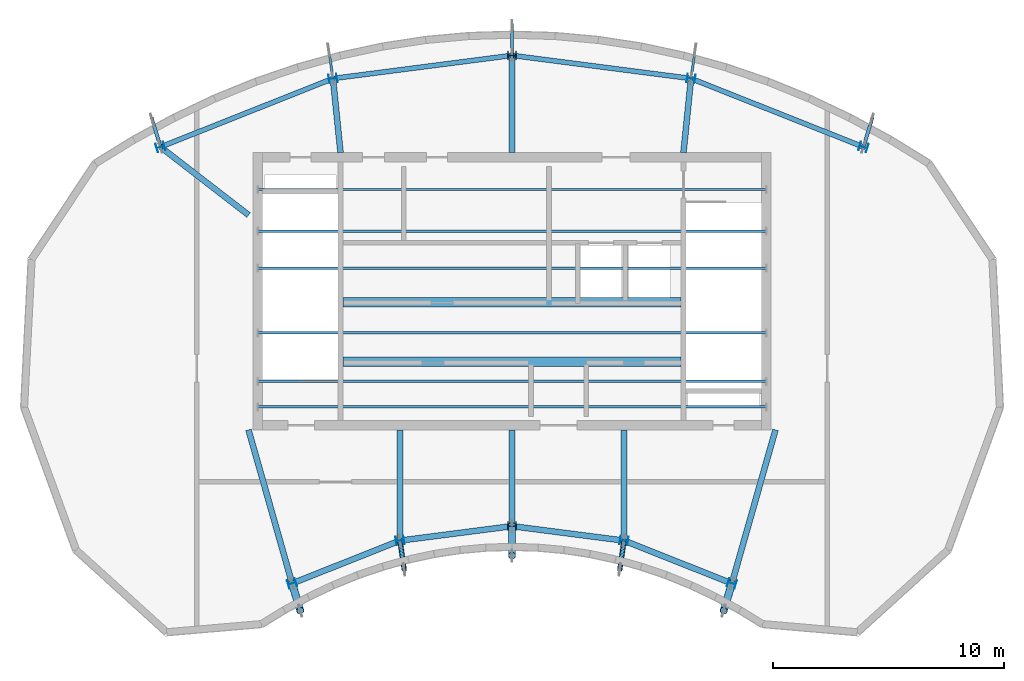
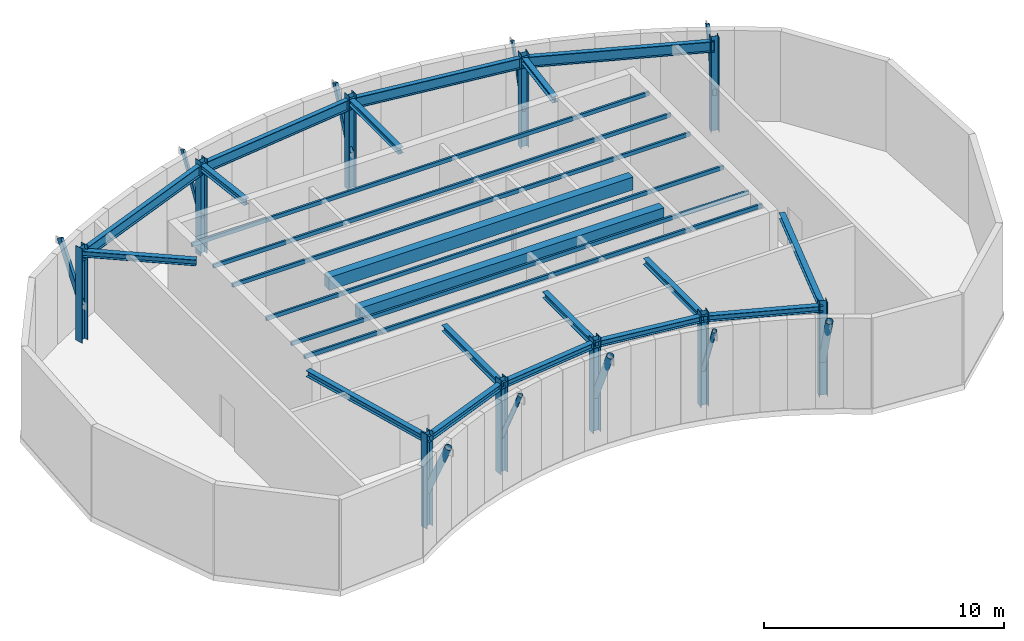
# One storey, part 1 of 6: 19 beams, 16 members, 10 columns.
"""IFC4 building model written with IfcOpenShell, lengths in metres."""

from ifc_helpers import new_model, si_unit, direction, frame, origin, origin_2d, place, context, subcontext, project, spatial, rectangle, hollow_rectangle, hollow_circle, i_section, extrude, source, transform, mapped, material, material_profile, profile_set, type_object, type_shapes, element, save


model = new_model("IFC4")

# Units and contexts
model_context = context("Model", 3, precision=1e-05, world=origin(), true_north=direction((0.0, 1.0)))
body_context = subcontext(model_context, "Body", "Model", "MODEL_VIEW")
ifc_project = project(units=[si_unit("LENGTHUNIT", "METRE"), si_unit("AREAUNIT", "SQUARE_METRE"), si_unit("VOLUMEUNIT", "CUBIC_METRE"), si_unit("PLANEANGLEUNIT", "RADIAN"), si_unit("MASSUNIT", "GRAM", prefix="KILO")], contexts=[model_context])

# Site, building, storey
site_placement = place(None, origin())
site = spatial("IfcSite", under=ifc_project, at=site_placement, CompositionType="ELEMENT")
building_placement = place(site_placement, origin())
building = spatial("IfcBuilding", under=site, at=building_placement, Name="Breltana Convention Tower", CompositionType="ELEMENT")
storey_placement = place(building_placement, frame((0.0, 0.0, 323.39990234375)))
storey = spatial("IfcBuildingStorey", under=building, at=storey_placement, Name="L78", CompositionType="ELEMENT", Elevation=323.39990234375)

# Columns
ifc_material_1 = material(Name="Steel ASTM A992 Grade 50", Category="steel")
ifc_material_profile_1 = material_profile(ifc_material_1, i_section(OverallWidth=0.368896484375, OverallDepth=0.35595703125, WebThickness=0.01123046875, FlangeThickness=0.01806640625, at=origin_2d()), Name="W14X90")
ifc_profile_set_1 = profile_set([ifc_material_profile_1], Name="Steel ASTM A992 Grade 50")
column_type = type_object("IfcColumnType", Name="COL-STL-W14X90", PredefinedType="COLUMN", material=ifc_profile_set_1)
shared_shape_1 = source(origin(), body_context, "Body", "SweptSolid", [
    extrude(i_section(OverallWidth=0.368896484375, OverallDepth=0.35595703125, WebThickness=0.01123046875, FlangeThickness=0.01806640625, at=origin_2d()), origin(), (0.0, 0.0, 1.0), 4.800048828125),
])
type_shapes(column_type, [shared_shape_1])
for number, where, z_axis, x_axis, name in (
    (1, (38.485107421875, 53.5576171875, 0.0), (0.0, 0.0, 1.0), (-0.288697611798, 0.957420330337, 0.0), "L78 Tower Column R04-IN"),
    (2, (32.791015625, 72.4423828125, 0.0), (0.0, 0.0, 1.0), (-0.288697611798, 0.957420330337, 0.0), "L78 Tower Column R04-OUT"),
    (3, (43.153564453125, 55.41064453125, 0.0), (0.0, 0.0, 1.0), (-0.143492621991, 0.98965138682, 0.0), "L78 Tower Column R05-IN"),
    (4, (40.253173828125, 75.404296875, 0.0), (0.0, 0.0, 1.0), (-0.143492621991, 0.98965138682, 0.0), "L78 Tower Column R05-OUT"),
    (5, (48.0, 56.035888671875, 0.0), (0.0, 0.0, 1.0), (0.0, 1.0, 0.0), "L78 Tower Column R06-IN"),
    (6, (48.0, 76.404052734375, 0.0), (0.0, 0.0, 1.0), (0.0, 1.0, 0.0), "L78 Tower Column R06-OUT"),
    (7, (52.846435546875, 55.41064453125, 0.0), (0.0, 0.0, 1.0), (0.143492621991, 0.98965138682, 0.0), "L78 Tower Column R07-IN"),
    (8, (55.746826171875, 75.404296875, 0.0), (0.0, 0.0, 1.0), (0.143492621991, 0.98965138682, 0.0), "L78 Tower Column R07-OUT"),
    (9, (57.514892578125, 53.5576171875, 0.0), (0.0, 0.0, 1.0), (0.288697611798, 0.957420330337, 0.0), "L78 Tower Column R08-IN"),
    (10, (63.208984375, 72.4423828125, 0.0), (0.0, 0.0, 1.0), (0.288697611798, 0.957420330337, 0.0), "L78 Tower Column R08-OUT"),
):
    element("IfcColumn", number, at=place(storey_placement, frame(where, z_axis=z_axis, x_axis=x_axis)), inside=storey, type_object=column_type, Name=name, PredefinedType="COLUMN", context=body_context, shape_type="MappedRepresentation", body=[
        mapped(shared_shape_1, transform((0.0, 0.0, 0.0), scale=1.0)),
    ])

# Beams
ifc_material_profile_2 = material_profile(ifc_material_1, i_section(OverallWidth=0.214111328125, OverallDepth=0.549072265625, WebThickness=0.0146484375, FlangeThickness=0.023681640625, at=origin_2d()), Name="W21X93")
ifc_profile_set_2 = profile_set([ifc_material_profile_2], Name="Steel ASTM A992 Grade 50")
beam_type_1 = type_object("IfcBeamType", Name="BM-SP-W21X93", PredefinedType="SPANDREL", material=ifc_profile_set_2)
shared_shape_2 = source(origin(), body_context, "Body", "SweptSolid", [
    extrude(i_section(OverallWidth=0.214111328125, OverallDepth=0.549072265625, WebThickness=0.0146484375, FlangeThickness=0.023681640625, at=origin_2d()), origin(), (0.0, 0.0, 1.0), 8.028564453125),
])
for number, where, z_axis, x_axis, name in (
    (11, (32.791015625, 72.4423828125, 4.315673828125), (0.929459100394, 0.368925169507, 0.0), (-0.368925169507, 0.929459100394, 0.0), "L78 Outer Spandrel Beam 04"),
    (12, (55.746826171875, 75.404296875, 4.315673828125), (0.929459100394, -0.368925169507, 0.0), (0.368925169507, 0.929459100394, 0.0), "L78 Outer Spandrel Beam 07"),
):
    element("IfcBeam", number, at=place(storey_placement, frame(where, z_axis=z_axis, x_axis=x_axis)), inside=storey, type_object=beam_type_1, Name=name, PredefinedType="SPANDREL", context=body_context, shape_type="MappedRepresentation", body=[
        mapped(shared_shape_2, transform((0.0, 0.0, 0.0), scale=1.0)),
    ])
shared_shape_3 = source(origin(), body_context, "Body", "SweptSolid", [
    extrude(i_section(OverallWidth=0.214111328125, OverallDepth=0.549072265625, WebThickness=0.0146484375, FlangeThickness=0.023681640625, at=origin_2d()), origin(), (0.0, 0.0, 1.0), 7.81103515625),
])
for number, where, z_axis, x_axis, name in (
    (13, (40.253173828125, 75.404296875, 4.315673828125), (0.991775179127, 0.127992164083, 0.0), (-0.127992164083, 0.991775179127, 0.0), "L78 Outer Spandrel Beam 05"),
    (14, (48.0, 76.404052734375, 4.315673828125), (0.991775179127, -0.127992164083, 0.0), (0.127992164083, 0.991775179127, 0.0), "L78 Outer Spandrel Beam 06"),
):
    element("IfcBeam", number, at=place(storey_placement, frame(where, z_axis=z_axis, x_axis=x_axis)), inside=storey, type_object=beam_type_1, Name=name, PredefinedType="SPANDREL", context=body_context, shape_type="MappedRepresentation", body=[
        mapped(shared_shape_3, transform((0.0, 0.0, 0.0), scale=1.0)),
    ])
ifc_material_profile_3 = material_profile(ifc_material_1, i_section(OverallWidth=0.25390625, OverallDepth=0.305908203125, WebThickness=0.0087890625, FlangeThickness=0.0146484375, at=origin_2d()), Name="W12X53")
ifc_profile_set_3 = profile_set([ifc_material_profile_3], Name="Steel ASTM A992 Grade 50")
beam_type_2 = type_object("IfcBeamType", Name="BM-CN-W12X53", PredefinedType="BEAM", material=ifc_profile_set_3)
shared_shape_4 = source(origin(), body_context, "Body", "SweptSolid", [
    extrude(i_section(OverallWidth=0.25390625, OverallDepth=0.305908203125, WebThickness=0.0087890625, FlangeThickness=0.0146484375, at=origin_2d()), origin(), (0.0, 0.0, 1.0), 6.904541015625),
])
for number, where, z_axis, x_axis, name in (
    (15, (36.60009765625, 60.199951171875, 4.43701171875), (0.273006781054, -0.962012108811, 0.0), (0.962012108811, 0.273006781054, 0.0), "L78 South Core Tie Girder R04"),
    (16, (59.39990234375, 60.199951171875, 4.43701171875), (-0.273006781054, -0.962012108811, 0.0), (0.962012108811, -0.273006781054, 0.0), "L78 South Core Tie Girder R08"),
):
    element("IfcBeam", number, at=place(storey_placement, frame(where, z_axis=z_axis, x_axis=x_axis)), inside=storey, type_object=beam_type_2, Name=name, PredefinedType="BEAM", context=body_context, shape_type="MappedRepresentation", body=[
        mapped(shared_shape_4, transform((0.0, 0.0, 0.0), scale=1.0)),
    ])
shared_shape_5 = source(origin(), body_context, "Body", "SweptSolid", [
    extrude(i_section(OverallWidth=0.25390625, OverallDepth=0.305908203125, WebThickness=0.0087890625, FlangeThickness=0.0146484375, at=origin_2d()), origin(), (0.0, 0.0, 1.0), 4.789306640625),
])
for number, where, z_axis, x_axis, name in (
    (17, (43.153564453125, 60.199951171875, 4.43701171875), (0.0, -1.0, 0.0), (1.0, 0.0, 0.0), "L78 South Core Tie Girder R05"),
    (18, (52.846435546875, 60.199951171875, 4.43701171875), (0.0, -1.0, 0.0), (1.0, 0.0, 0.0), "L78 South Core Tie Girder R07"),
):
    element("IfcBeam", number, at=place(storey_placement, frame(where, z_axis=z_axis, x_axis=x_axis)), inside=storey, type_object=beam_type_2, Name=name, PredefinedType="BEAM", context=body_context, shape_type="MappedRepresentation", body=[
        mapped(shared_shape_5, transform((0.0, 0.0, 0.0), scale=1.0)),
    ])
shared_shape_6 = source(origin(), body_context, "Body", "SweptSolid", [
    extrude(i_section(OverallWidth=0.25390625, OverallDepth=0.305908203125, WebThickness=0.0087890625, FlangeThickness=0.0146484375, at=origin_2d()), origin(), (0.0, 0.0, 1.0), 3.220947265625),
])
for number, where, z_axis, x_axis, name in (
    (19, (40.580078125, 72.199951171875, 4.43701171875), (-0.101492254858, 0.994836329355, 0.0), (-0.994836329355, -0.101492254858, 0.0), "L78 North Core Radial Girder R05"),
    (20, (55.419921875, 72.199951171875, 4.43701171875), (0.101492254858, 0.994836329355, 0.0), (-0.994836329355, 0.101492254858, 0.0), "L78 North Core Radial Girder R07"),
):
    element("IfcBeam", number, at=place(storey_placement, frame(where, z_axis=z_axis, x_axis=x_axis)), inside=storey, type_object=beam_type_2, Name=name, PredefinedType="BEAM", context=body_context, shape_type="MappedRepresentation", body=[
        mapped(shared_shape_6, transform((0.0, 0.0, 0.0), scale=1.0)),
    ])
shared_shape_7 = source(origin(), body_context, "Body", "SweptSolid", [
    extrude(i_section(OverallWidth=0.25390625, OverallDepth=0.305908203125, WebThickness=0.0087890625, FlangeThickness=0.0146484375, at=origin_2d()), origin(), (0.0, 0.0, 1.0), 4.1640625),
])
beam_1_placement = place(storey_placement, frame((48.0, 60.199951171875, 4.43701171875), z_axis=(0.0, -1.0, 0.0), x_axis=(1.0, 0.0, 0.0)))
element("IfcBeam", 21, at=beam_1_placement, inside=storey, type_object=beam_type_2, Name="L78 South Core Tie Girder R06", PredefinedType="BEAM", context=body_context, shape_type="MappedRepresentation", body=[
    mapped(shared_shape_7, transform((0.0, 0.0, 0.0), scale=1.0)),
])
shared_shape_8 = source(origin(), body_context, "Body", "SweptSolid", [
    extrude(i_section(OverallWidth=0.25390625, OverallDepth=0.305908203125, WebThickness=0.0087890625, FlangeThickness=0.0146484375, at=origin_2d()), origin(), (0.0, 0.0, 1.0), 4.2041015625),
])
beam_2_placement = place(storey_placement, frame((48.0, 72.199951171875, 4.43701171875), z_axis=(0.0, 1.0, 0.0), x_axis=(-1.0, 0.0, 0.0)))
element("IfcBeam", 22, at=beam_2_placement, inside=storey, type_object=beam_type_2, Name="L78 North Core Radial Girder R06", PredefinedType="BEAM", context=body_context, shape_type="MappedRepresentation", body=[
    mapped(shared_shape_8, transform((0.0, 0.0, 0.0), scale=1.0)),
])
shared_shape_9 = source(origin(), body_context, "Body", "SweptSolid", [
    extrude(i_section(OverallWidth=0.25390625, OverallDepth=0.305908203125, WebThickness=0.0087890625, FlangeThickness=0.0146484375, at=origin_2d()), origin(), (0.0, 0.0, 1.0), 5.022705078125),
])
for number, where, z_axis, x_axis, name in (
    (23, (38.485107421875, 53.5576171875, 4.43701171875), (0.929458966248, 0.368925507469, 0.0), (-0.368925507469, 0.929458966248, 0.0), "L78 Inner Ring Beam 04"),
    (24, (52.846435546875, 55.41064453125, 4.43701171875), (0.929458966248, -0.368925507469, 0.0), (0.368925507469, 0.929458966248, 0.0), "L78 Inner Ring Beam 07"),
):
    element("IfcBeam", number, at=place(storey_placement, frame(where, z_axis=z_axis, x_axis=x_axis)), inside=storey, type_object=beam_type_2, Name=name, PredefinedType="BEAM", context=body_context, shape_type="MappedRepresentation", body=[
        mapped(shared_shape_9, transform((0.0, 0.0, 0.0), scale=1.0)),
    ])
shared_shape_10 = source(origin(), body_context, "Body", "SweptSolid", [
    extrude(i_section(OverallWidth=0.25390625, OverallDepth=0.305908203125, WebThickness=0.0087890625, FlangeThickness=0.0146484375, at=origin_2d()), origin(), (0.0, 0.0, 1.0), 4.88671875),
])
for number, where, z_axis, x_axis, name in (
    (25, (43.153564453125, 55.41064453125, 4.43701171875), (0.991780525565, 0.127950729231, 0.0), (-0.127950729231, 0.991780525565, 0.0), "L78 Inner Ring Beam 05"),
    (26, (48.0, 56.035888671875, 4.43701171875), (0.991780525565, -0.127950729231, 0.0), (0.127950729231, 0.991780525565, 0.0), "L78 Inner Ring Beam 06"),
):
    element("IfcBeam", number, at=place(storey_placement, frame(where, z_axis=z_axis, x_axis=x_axis)), inside=storey, type_object=beam_type_2, Name=name, PredefinedType="BEAM", context=body_context, shape_type="MappedRepresentation", body=[
        mapped(shared_shape_10, transform((0.0, 0.0, 0.0), scale=1.0)),
    ])
shared_shape_11 = source(origin(), body_context, "Body", "SweptSolid", [
    extrude(i_section(OverallWidth=0.25390625, OverallDepth=0.305908203125, WebThickness=0.0087890625, FlangeThickness=0.0146484375, at=origin_2d()), origin(), (0.0, 0.0, 1.0), 4.813232421875),
])
beam_3_placement = place(storey_placement, frame((36.60009765625, 69.5, 4.43701171875), z_axis=(-0.791385387484, 0.611317567617, 0.0), x_axis=(-0.611317567617, -0.791385387484, 0.0)))
element("IfcBeam", 27, at=beam_3_placement, inside=storey, type_object=beam_type_2, Name="L78 North Core Radial Girder R04", PredefinedType="BEAM", context=body_context, shape_type="MappedRepresentation", body=[
    mapped(shared_shape_11, transform((0.0, 0.0, 0.0), scale=1.0)),
])
ifc_material_2 = material(Name="Concrete C40/50", Category="concrete")
ifc_material_profile_4 = material_profile(ifc_material_2, rectangle(XDim=0.39990234375, YDim=0.64990234375, at=origin_2d()), Name="RC-BM-400X650")
ifc_profile_set_4 = profile_set([ifc_material_profile_4], Name="Concrete C40/50")
beam_type_3 = type_object("IfcBeamType", Name="BM-RC-400X650", PredefinedType="BEAM", material=ifc_profile_set_4)
shared_shape_12 = source(origin(), body_context, "Body", "SweptSolid", [
    extrude(rectangle(XDim=0.39990234375, YDim=0.64990234375, at=origin_2d()), origin(), (0.0, 0.0, 1.0), 14.6201171875),
])
for number, where, z_axis, x_axis, name in (
    (28, (40.68994140625, 63.14990234375, 4.26513671875), (1.0, 0.0, 0.0), (0.0, 1.0, 0.0), "L78 BM-RC-400X650 BM-L78-CRL-1"),
    (29, (40.68994140625, 65.719970703125, 4.26513671875), (1.0, 0.0, 0.0), (0.0, 1.0, 0.0), "L78 BM-RC-400X650 BM-L78-CRL-2"),
):
    element("IfcBeam", number, at=place(storey_placement, frame(where, z_axis=z_axis, x_axis=x_axis)), inside=storey, type_object=beam_type_3, Name=name, PredefinedType="BEAM", context=body_context, shape_type="MappedRepresentation", body=[
        mapped(shared_shape_12, transform((0.0, 0.0, 0.0), scale=1.0)),
    ])

# Members
ifc_material_3 = material(Name="Steel EN 10210 S355J2H", Category="steel")
ifc_material_profile_5 = material_profile(ifc_material_3, hollow_circle(Radius=0.162109375, WallThickness=0.011962890625, at=origin_2d()), Name="CHS324X12")
ifc_profile_set_5 = profile_set([ifc_material_profile_5], Name="Steel EN 10210 S355J2H")
member_type_1 = type_object("IfcMemberType", Name="MB-ST-CHS324X12", PredefinedType="STRUT", material=ifc_profile_set_5)
shared_shape_13 = source(origin(), body_context, "Body", "SweptSolid", [
    extrude(hollow_circle(Radius=0.162109375, WallThickness=0.011962890625, at=origin_2d()), origin(), (0.0, 0.0, 1.0), 3.05029296875),
])
type_shapes(member_type_1, [shared_shape_13])
for number, where, z_axis, x_axis, name in (
    (30, (38.485107421875, 53.5576171875, 1.800048828125), (0.116616266275, -0.38698671753, 0.914681325323), (0.957471284787, 0.288528575374, 0.0), "L78 Crown Canopy Eave Strut R04-IN"),
    (31, (57.514892578125, 53.5576171875, 1.800048828125), (-0.116616266275, -0.38698671753, 0.914681325323), (0.957471284787, -0.288528575374, 0.0), "L78 Crown Canopy Eave Strut R08-IN"),
):
    element("IfcMember", number, at=place(storey_placement, frame(where, z_axis=z_axis, x_axis=x_axis)), inside=storey, type_object=member_type_1, Name=name, PredefinedType="STRUT", context=body_context, shape_type="MappedRepresentation", body=[
        mapped(shared_shape_13, transform((0.0, 0.0, 0.0), scale=1.0)),
    ])
ifc_material_profile_6 = material_profile(ifc_material_3, hollow_rectangle(XDim=0.14990234375, YDim=0.25, WallThickness=0.010009765625, at=origin_2d()), Name="RHS250X150X10")
ifc_profile_set_6 = profile_set([ifc_material_profile_6], Name="Steel EN 10210 S355J2H")
member_type_2 = type_object("IfcMemberType", Name="MB-ST-RHS250X150X10", PredefinedType="STRUT", material=ifc_profile_set_6)
shared_shape_14 = source(origin(), body_context, "Body", "SweptSolid", [
    extrude(hollow_rectangle(XDim=0.14990234375, YDim=0.25, WallThickness=0.010009765625, at=origin_2d()), origin(), (0.0, 0.0, 1.0), 3.05029296875),
])
type_shapes(member_type_2, [shared_shape_14])
for number, where, z_axis, x_axis, name in (
    (32, (32.791015625, 72.4423828125, 1.800048828125), (-0.116695215314, 0.386983104283, 0.914672785056), (-0.957416563583, -0.288710103351, 0.0), "L78 Crown Canopy Eave Strut R04-OUT"),
    (33, (63.208984375, 72.4423828125, 1.800048828125), (0.116695215314, 0.386983104283, 0.914672785056), (-0.957416563583, 0.288710103351, 0.0), "L78 Crown Canopy Eave Strut R08-OUT"),
):
    element("IfcMember", number, at=place(storey_placement, frame(where, z_axis=z_axis, x_axis=x_axis)), inside=storey, type_object=member_type_2, Name=name, PredefinedType="STRUT", context=body_context, shape_type="MappedRepresentation", body=[
        mapped(shared_shape_14, transform((0.0, 0.0, 0.0), scale=1.0)),
    ])
ifc_material_profile_7 = material_profile(ifc_material_3, hollow_circle(Radius=0.109619140625, WallThickness=0.010009765625, at=origin_2d()), Name="CHS219X10")
ifc_profile_set_7 = profile_set([ifc_material_profile_7], Name="Steel EN 10210 S355J2H")
member_type_3 = type_object("IfcMemberType", Name="MB-ST-CHS219X10", PredefinedType="STRUT", material=ifc_profile_set_7)
shared_shape_15 = source(origin(), body_context, "Body", "SweptSolid", [
    extrude(hollow_circle(Radius=0.109619140625, WallThickness=0.010009765625, at=origin_2d()), origin(), (0.0, 0.0, 1.0), 3.0625),
])
type_shapes(member_type_3, [shared_shape_15])
for number, where, z_axis, x_axis, name in (
    (34, (43.153564453125, 55.41064453125, 1.800048828125), (0.059153339078, -0.408014540973, 0.911057087581), (0.989653437492, 0.143478478042, 0.0), "L78 Crown Canopy Eave Strut R05-IN"),
    (35, (52.846435546875, 55.41064453125, 1.800048828125), (-0.059153339078, -0.408014540973, 0.911057087581), (0.989653437492, -0.143478478042, 0.0), "L78 Crown Canopy Eave Strut R07-IN"),
):
    element("IfcMember", number, at=place(storey_placement, frame(where, z_axis=z_axis, x_axis=x_axis)), inside=storey, type_object=member_type_3, Name=name, PredefinedType="STRUT", context=body_context, shape_type="MappedRepresentation", body=[
        mapped(shared_shape_15, transform((0.0, 0.0, 0.0), scale=1.0)),
    ])
ifc_material_profile_8 = material_profile(ifc_material_3, hollow_rectangle(XDim=0.10009765625, YDim=0.199951171875, WallThickness=0.008056640625, at=origin_2d()), Name="RHS200X100X8")
ifc_profile_set_8 = profile_set([ifc_material_profile_8], Name="Steel EN 10210 S355J2H")
member_type_4 = type_object("IfcMemberType", Name="MB-ST-RHS200X100X8", PredefinedType="STRUT", material=ifc_profile_set_8)
shared_shape_16 = source(origin(), body_context, "Body", "SweptSolid", [
    extrude(hollow_rectangle(XDim=0.10009765625, YDim=0.199951171875, WallThickness=0.008056640625, at=origin_2d()), origin(), (0.0, 0.0, 1.0), 3.0625),
])
type_shapes(member_type_4, [shared_shape_16])
for number, where, z_axis, x_axis, name in (
    (36, (40.253173828125, 75.404296875, 1.800048828125), (-0.059151414872, 0.408080987509, 0.911027451701), (-0.989657417021, -0.143451026261, 0.0), "L78 Crown Canopy Eave Strut R05-OUT"),
    (37, (55.746826171875, 75.404296875, 1.800048828125), (0.059151414872, 0.408080987509, 0.911027451701), (-0.989657417021, 0.143451026261, 0.0), "L78 Crown Canopy Eave Strut R07-OUT"),
):
    element("IfcMember", number, at=place(storey_placement, frame(where, z_axis=z_axis, x_axis=x_axis)), inside=storey, type_object=member_type_4, Name=name, PredefinedType="STRUT", context=body_context, shape_type="MappedRepresentation", body=[
        mapped(shared_shape_16, transform((0.0, 0.0, 0.0), scale=1.0)),
    ])
shared_shape_17 = source(origin(), body_context, "Body", "SweptSolid", [
    extrude(hollow_circle(Radius=0.162109375, WallThickness=0.011962890625, at=origin_2d()), origin(), (0.0, 0.0, 1.0), 3.066650390625),
])
member_1_placement = place(storey_placement, frame((48.0, 56.035888671875, 1.800048828125), z_axis=(0.0, -0.415086106579, 0.909782130032), x_axis=(1.0, 0.0, 0.0)))
element("IfcMember", 38, at=member_1_placement, inside=storey, type_object=member_type_1, Name="L78 Crown Canopy Eave Strut R06-IN", PredefinedType="STRUT", context=body_context, shape_type="MappedRepresentation", body=[
    mapped(shared_shape_17, transform((0.0, 0.0, 0.0), scale=1.0)),
])
shared_shape_18 = source(origin(), body_context, "Body", "SweptSolid", [
    extrude(hollow_rectangle(XDim=0.14990234375, YDim=0.25, WallThickness=0.010009765625, at=origin_2d()), origin(), (0.0, 0.0, 1.0), 3.066650390625),
])
member_2_placement = place(storey_placement, frame((48.0, 76.404052734375, 1.800048828125), z_axis=(0.0, 0.415086106579, 0.909782130032), x_axis=(-1.0, 0.0, 0.0)))
element("IfcMember", 39, at=member_2_placement, inside=storey, type_object=member_type_2, Name="L78 Crown Canopy Eave Strut R06-OUT", PredefinedType="STRUT", context=body_context, shape_type="MappedRepresentation", body=[
    mapped(shared_shape_18, transform((0.0, 0.0, 0.0), scale=1.0)),
])
ifc_material_4 = material(Name="Steel S355", Category="steel")
ifc_material_profile_9 = material_profile(ifc_material_4, hollow_rectangle(XDim=0.10009765625, YDim=0.199951171875, WallThickness=0.008056640625, at=origin_2d()), Name="RHS200X100X8")
ifc_profile_set_9 = profile_set([ifc_material_profile_9], Name="Steel S355")
member_type_5 = type_object("IfcMemberType", Name="MB-PURLIN-200", PredefinedType="PURLIN", material=ifc_profile_set_9)
shared_shape_19 = source(origin(), body_context, "Body", "SweptSolid", [
    extrude(hollow_rectangle(XDim=0.10009765625, YDim=0.199951171875, WallThickness=0.008056640625, at=origin_2d()), origin(), (0.0, 0.0, 1.0), 22.0),
])
type_shapes(member_type_5, [shared_shape_19])
for number, where, z_axis, x_axis, name in (
    (40, (37.0, 61.199951171875, 4.489990234375), (1.0, 0.0, 0.0), (0.0, 1.0, 0.0), "L78 crown canopy roof purlin 1"),
    (41, (37.0, 62.300048828125, 4.489990234375), (1.0, 0.0, 0.0), (0.0, 1.0, 0.0), "L78 crown canopy roof purlin 2"),
    (42, (37.0, 64.39990234375, 4.489990234375), (1.0, 0.0, 0.0), (0.0, 1.0, 0.0), "L78 crown canopy roof purlin 3"),
    (43, (37.0, 67.199951171875, 4.489990234375), (1.0, 0.0, 0.0), (0.0, 1.0, 0.0), "L78 crown canopy roof purlin 4"),
    (44, (37.0, 68.800048828125, 4.489990234375), (1.0, 0.0, 0.0), (0.0, 1.0, 0.0), "L78 crown canopy roof purlin 5"),
    (45, (37.0, 70.60009765625, 4.489990234375), (1.0, 0.0, 0.0), (0.0, 1.0, 0.0), "L78 crown canopy roof purlin 6"),
):
    element("IfcMember", number, at=place(storey_placement, frame(where, z_axis=z_axis, x_axis=x_axis)), inside=storey, type_object=member_type_5, Name=name, PredefinedType="PURLIN", context=body_context, shape_type="MappedRepresentation", body=[
        mapped(shared_shape_19, transform((0.0, 0.0, 0.0), scale=1.0)),
    ])

save(model, "model.ifc")
